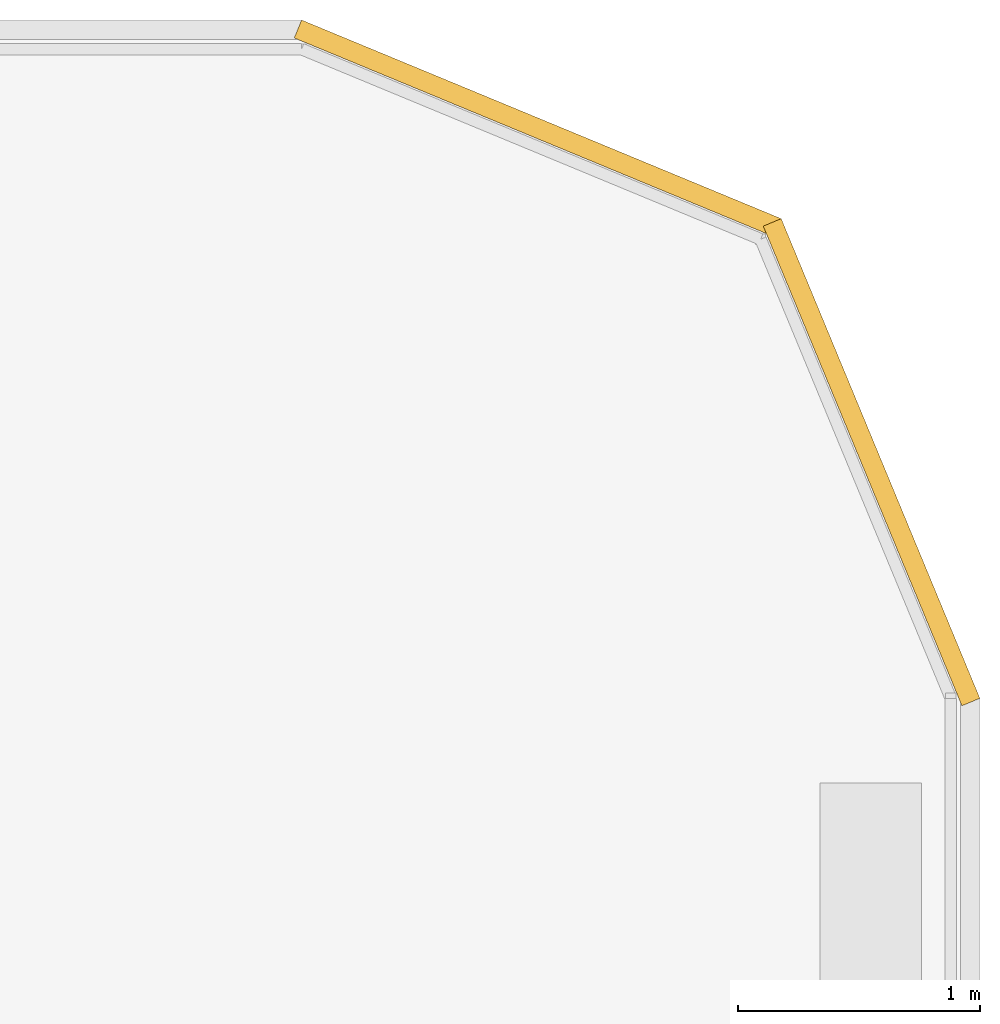
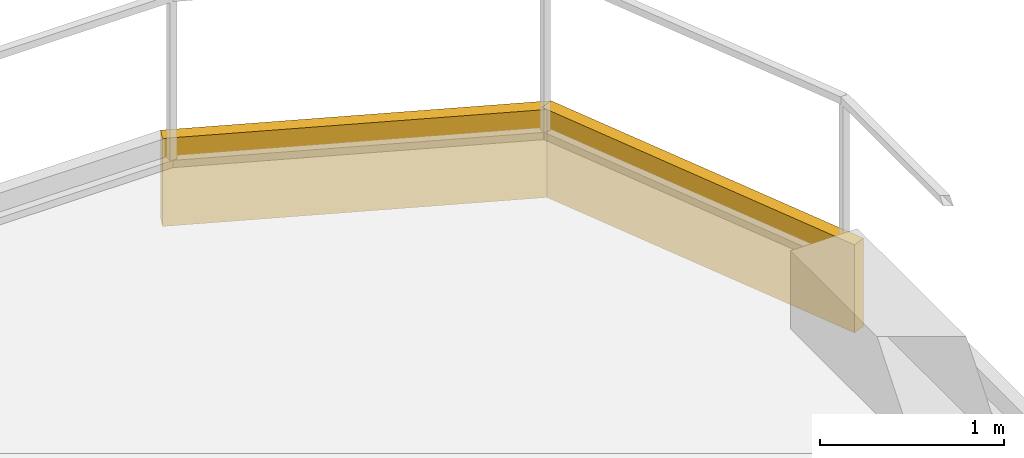
# One storey, part 16 of 16: 2 coverings.
"""IFC4 building model written with IfcOpenShell, lengths in metres."""

from ifc_helpers import new_model, si_unit, direction, frame, frame_2d, origin, place, context, subcontext, project, spatial, rectangle, extrude, material, layer, layer_set, type_object, element, save


model = new_model("IFC4")

# Units and contexts
model_context = context("Model", 3, precision=1e-05, world=origin(), true_north=direction((0.0, 1.0)))
body_context = subcontext(model_context, "Body", "Model", "MODEL_VIEW")
ifc_project = project(units=[si_unit("LENGTHUNIT", "METRE"), si_unit("AREAUNIT", "SQUARE_METRE"), si_unit("VOLUMEUNIT", "CUBIC_METRE"), si_unit("PLANEANGLEUNIT", "RADIAN"), si_unit("MASSUNIT", "GRAM", prefix="KILO")], contexts=[model_context])

# Site, building, storey
site_placement = place(None, origin())
site = spatial("IfcSite", under=ifc_project, at=site_placement, CompositionType="ELEMENT")
building_placement = place(site_placement, origin())
building = spatial("IfcBuilding", under=site, at=building_placement, Name="Zulmaris Gate Convention Tower", CompositionType="ELEMENT")
storey_placement = place(building_placement, frame((0.0, 0.0, 124.919921875)))
storey = spatial("IfcBuildingStorey", under=building, at=storey_placement, Name="L31", CompositionType="ELEMENT", Elevation=124.919921875)

# Coverings
ifc_material = material(Name="White Glazed Architectural Precast Concrete C40/50", Category="concrete")
ifc_layer = layer(ifc_material, 0.080078125, Name="White Glazed Architectural Precast Concrete C40/50")
ifc_layer_set = layer_set([ifc_layer], Name="White Glazed Architectural Precast Concrete C40/50")
covering_type = type_object("IfcCoveringType", Name="CLAD-TRAY-FASCIA", PredefinedType="CLADDING", material=ifc_layer_set)
covering_1_placement = place(storey_placement, frame((24.962890625, 24.484619140625, -0.465087890625), z_axis=(0.0, 0.0, 1.0), x_axis=(-0.382656984709, 0.923890487046, 0.0)))
element("IfcCovering", 1, at=covering_1_placement, inside=storey, type_object=covering_type, Name="FSC-L31-TR-06", PredefinedType="CLADDING", context=body_context, shape_type="SweptSolid", body=[
    extrude(rectangle(XDim=2.14306640625, YDim=0.080078125, at=frame_2d((1.071533203125, 0.0))), origin(), (0.0, 0.0, 1.0), 0.5849609375),
])
covering_2_placement = place(storey_placement, frame((24.16455078125, 26.44287109375, -0.465087890625), z_axis=(0.0, 0.0, 1.0), x_axis=(-0.923873803533, 0.382697263049, 0.0)))
element("IfcCovering", 2, at=covering_2_placement, inside=storey, type_object=covering_type, Name="FSC-L31-TR-07", PredefinedType="CLADDING", context=body_context, shape_type="SweptSolid", body=[
    extrude(rectangle(XDim=2.142822265625, YDim=0.080078125, at=frame_2d((1.0712890625, 0.0))), origin(), (0.0, 0.0, 1.0), 0.5849609375),
])

save(model, "model.ifc")
